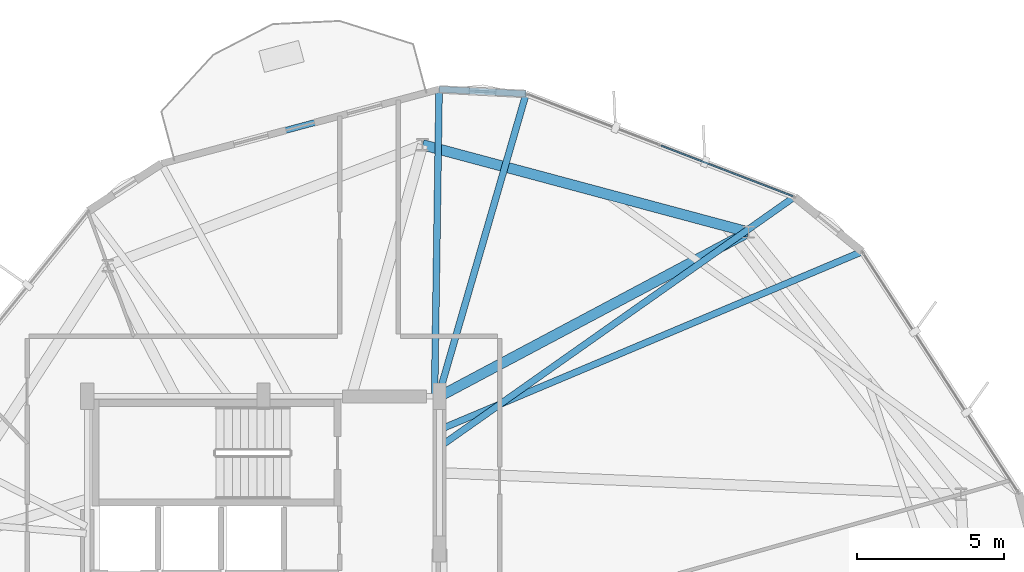
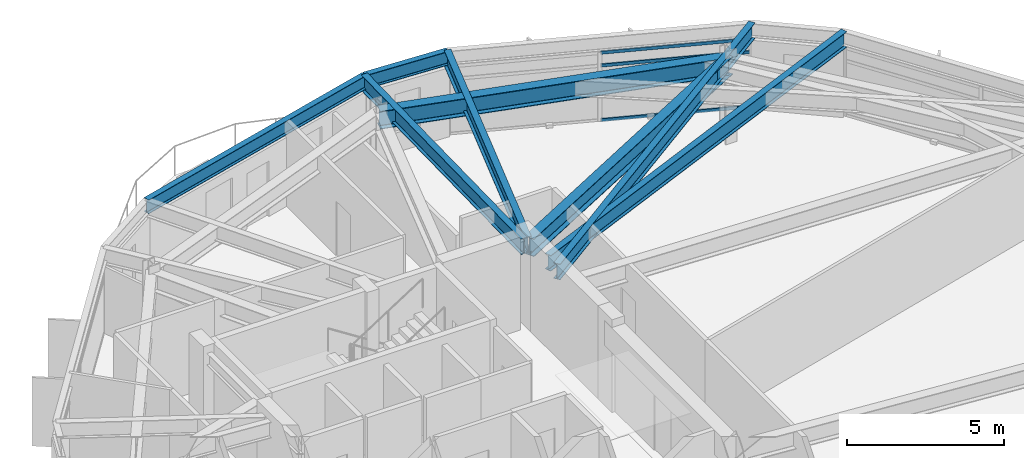
# One storey, part 19 of 29: 8 beams, 3 members, 1 element without a shape of its own.
"""IFC4 building model written with IfcOpenShell, lengths in metres."""

from ifc_helpers import new_model, si_unit, direction, frame, origin, origin_2d, place, context, subcontext, project, spatial, hollow_rectangle, i_section, extrude, material, layer, layer_set, material_profile, profile_set, type_object, element, aggregate, save


model = new_model("IFC4")

# Units and contexts
model_context = context("Model", 3, precision=1e-05, world=origin(), true_north=direction((0.0, 1.0)))
body_context = subcontext(model_context, "Body", "Model", "MODEL_VIEW")
ifc_project = project(units=[si_unit("LENGTHUNIT", "METRE"), si_unit("AREAUNIT", "SQUARE_METRE"), si_unit("VOLUMEUNIT", "CUBIC_METRE"), si_unit("PLANEANGLEUNIT", "RADIAN"), si_unit("MASSUNIT", "GRAM", prefix="KILO")], contexts=[model_context])

# Site, building, storey
site_placement = place(None, origin())
site = spatial("IfcSite", under=ifc_project, at=site_placement, CompositionType="ELEMENT")
building_placement = place(site_placement, origin())
building = spatial("IfcBuilding", under=site, at=building_placement, Name="Soratama Intermodal Tower", CompositionType="ELEMENT")
storey_placement = place(building_placement, frame((0.0, 0.0, 219.39990234375)))
storey = spatial("IfcBuildingStorey", under=building, at=storey_placement, Name="L55", CompositionType="ELEMENT", Elevation=219.39990234375)

# Beams
ifc_material_1 = material(Name="Structural steel ASTM A992 Grade 50", Category="steel")
ifc_material_profile_1 = material_profile(ifc_material_1, i_section(OverallWidth=0.35498046875, OverallDepth=0.695068359375, WebThickness=0.015380859375, FlangeThickness=0.02490234375, FilletRadius=0.01611328125, at=origin_2d()), Name="W27X146")
ifc_profile_set_1 = profile_set([ifc_material_profile_1], Name="Structural steel ASTM A992 Grade 50")
beam_type_1 = type_object("IfcBeamType", Name="BM-RING-W27X146", PredefinedType="BEAM", material=ifc_profile_set_1)
beam_1_placement = place(storey_placement, frame((55.1298828125, 40.59912109375, 2.95263671875), z_axis=(-0.965907374298, 0.258887899055, 0.0), x_axis=(-0.258887899055, -0.965907374298, 0.0)))
element("IfcBeam", 1, at=beam_1_placement, inside=storey, type_object=beam_type_1, Name="BM-L55-RING-02", PredefinedType="BEAM", context=body_context, shape_type="SweptSolid", body=[
    extrude(i_section(OverallWidth=0.35498046875, OverallDepth=0.695068359375, WebThickness=0.015380859375, FlangeThickness=0.02490234375, FilletRadius=0.01611328125, at=origin_2d()), origin(), (0.0, 0.0, 1.0), 11.49462890625),
])
beam_2_placement = place(storey_placement, frame((44.60009765625, 35.0, 2.95263671875), z_axis=(0.882935948236, 0.469493462482, 0.0), x_axis=(-0.469493462482, 0.882935948236, 0.0)))
element("IfcBeam", 2, at=beam_2_placement, inside=storey, type_object=beam_type_1, Name="BM-L55-RAD-02", PredefinedType="BEAM", context=body_context, shape_type="SweptSolid", body=[
    extrude(i_section(OverallWidth=0.35498046875, OverallDepth=0.695068359375, WebThickness=0.015380859375, FlangeThickness=0.02490234375, FilletRadius=0.01611328125, at=origin_2d()), origin(), (0.0, 0.0, 1.0), 11.92578125),
])
ifc_material_2 = material(Name="Structural steel ASTM A992 Grade 50", Category="steel")
ifc_material_profile_2 = material_profile(ifc_material_2, i_section(OverallWidth=0.2099609375, OverallDepth=0.537109375, WebThickness=0.010986328125, FlangeThickness=0.017333984375, FilletRadius=0.012939453125, at=origin_2d()), Name="W21X68")
ifc_profile_set_2 = profile_set([ifc_material_profile_2], Name="Structural steel ASTM A992 Grade 50")
beam_type_2 = type_object("IfcBeamType", Name="BM-SPN-W21X68", PredefinedType="SPANDREL", material=ifc_profile_set_2)
beam_3_placement = place(storey_placement, frame((47.550048828125, 45.31201171875, 3.031494140625), z_axis=(-0.998616920026, 0.052576107102, 0.0), x_axis=(-0.052576107102, -0.998616920026, 0.0)))
element("IfcBeam", 3, at=beam_3_placement, inside=storey, type_object=beam_type_2, Name="BS-L55-CRN01", PredefinedType="SPANDREL", context=body_context, shape_type="SweptSolid", body=[
    extrude(i_section(OverallWidth=0.2099609375, OverallDepth=0.537109375, WebThickness=0.010986328125, FlangeThickness=0.017333984375, FilletRadius=0.012939453125, at=origin_2d()), origin(), (0.0, 0.0, 1.0), 2.96728515625),
])
beam_4_placement = place(storey_placement, frame((44.5869140625, 45.468017578125, 3.031494140625), z_axis=(-0.965918241454, -0.258847350434, 0.0), x_axis=(0.258847350434, -0.965918241454, 0.0)))
element("IfcBeam", 4, at=beam_4_placement, inside=storey, type_object=beam_type_2, Name="BS-L55-F02", PredefinedType="SPANDREL", context=body_context, shape_type="SweptSolid", body=[
    extrude(i_section(OverallWidth=0.2099609375, OverallDepth=0.537109375, WebThickness=0.010986328125, FlangeThickness=0.017333984375, FilletRadius=0.012939453125, at=origin_2d()), origin(), (0.0, 0.0, 1.0), 9.7978515625),
])
ifc_material_3 = material(Name="Structural steel ASTM A992 Grade 50", Category="steel")
ifc_material_profile_3 = material_profile(ifc_material_3, i_section(OverallWidth=0.22900390625, OverallDepth=0.612060546875, WebThickness=0.011962890625, FlangeThickness=0.01953125, FilletRadius=0.012939453125, at=origin_2d()), Name="W24X84")
ifc_profile_set_3 = profile_set([ifc_material_profile_3], Name="Structural steel ASTM A992 Grade 50")
beam_type_3 = type_object("IfcBeamType", Name="BM-TIE-W24X84", PredefinedType="BEAM", material=ifc_profile_set_3)
beam_5_placement = place(storey_placement, frame((44.633056640625, 33.304931640625, 2.994140625), z_axis=(0.817594668677, 0.575794197393, 0.0), x_axis=(-0.575794197393, 0.817594668677, 0.0)))
element("IfcBeam", 5, at=beam_5_placement, inside=storey, type_object=beam_type_3, Name="BM-L55-TIE0-01", PredefinedType="BEAM", context=body_context, shape_type="SweptSolid", body=[
    extrude(i_section(OverallWidth=0.22900390625, OverallDepth=0.612060546875, WebThickness=0.011962890625, FlangeThickness=0.01953125, FilletRadius=0.012939453125, at=origin_2d()), origin(), (0.0, 0.0, 1.0), 14.75537109375),
])
beam_6_placement = place(storey_placement, frame((44.573974609375, 35.0380859375, 2.994140625), z_axis=(0.278234311403, 0.960513231537, 0.0), x_axis=(-0.960513231537, 0.278234311403, 0.0)))
element("IfcBeam", 6, at=beam_6_placement, inside=storey, type_object=beam_type_3, Name="BM-L55-TIE1-01", PredefinedType="BEAM", context=body_context, shape_type="SweptSolid", body=[
    extrude(i_section(OverallWidth=0.22900390625, OverallDepth=0.612060546875, WebThickness=0.011962890625, FlangeThickness=0.01953125, FilletRadius=0.012939453125, at=origin_2d()), origin(), (0.0, 0.0, 1.0), 10.6962890625),
])
beam_7_placement = place(storey_placement, frame((44.43310546875, 35.0400390625, 2.994140625), z_axis=(0.014748003714, 0.999891242279, 0.0), x_axis=(-0.999891242279, 0.014748003714, 0.0)))
element("IfcBeam", 7, at=beam_7_placement, inside=storey, type_object=beam_type_3, Name="BM-L55-TIE0-02", PredefinedType="BEAM", context=body_context, shape_type="SweptSolid", body=[
    extrude(i_section(OverallWidth=0.22900390625, OverallDepth=0.612060546875, WebThickness=0.011962890625, FlangeThickness=0.01953125, FilletRadius=0.012939453125, at=origin_2d()), origin(), (0.0, 0.0, 1.0), 10.42919921875),
])
beam_8_placement = place(storey_placement, frame((44.636962890625, 33.882080078125, 2.994140625), z_axis=(0.921553099806, 0.388252346082, 0.0), x_axis=(-0.388252346082, 0.921553099806, 0.0)))
element("IfcBeam", 8, at=beam_8_placement, inside=storey, type_object=beam_type_3, Name="BM-L55-TIE1-10", PredefinedType="BEAM", context=body_context, shape_type="SweptSolid", body=[
    extrude(i_section(OverallWidth=0.22900390625, OverallDepth=0.612060546875, WebThickness=0.011962890625, FlangeThickness=0.01953125, FilletRadius=0.012939453125, at=origin_2d()), origin(), (0.0, 0.0, 1.0), 15.587890625),
])

# Curtain wall, members
ifc_material_4 = material(Name="Double-glazed aluminium curtain wall", Category="aluminium")
ifc_layer = layer(ifc_material_4, 0.159912109375)
ifc_layer_set = layer_set([ifc_layer], Name="Double-glazed aluminium curtain wall")
curtain_wall_type = type_object("IfcCurtainWallType", Name="CW-SYS-5", PredefinedType="NOTDEFINED", material=ifc_layer_set)
curtain_wall_placement = place(storey_placement, origin())
curtain_wall = element("IfcCurtainWall", 9, at=curtain_wall_placement, inside=storey, type_object=curtain_wall_type, Name="L55 Faceted Curtain Wall F01", PredefinedType="NOTDEFINED")
ifc_material_5 = material(Name="Anodised aluminium AA 6063-T6", Category="aluminium")
ifc_material_profile_4 = material_profile(ifc_material_5, hollow_rectangle(XDim=0.06005859375, YDim=0.1298828125, WallThickness=0.0048828125, InnerFilletRadius=0.0048828125, OuterFilletRadius=0.010009765625, at=origin_2d()), Name="CWT130X60X5")
ifc_profile_set_4 = profile_set([ifc_material_profile_4], Name="Anodised aluminium AA 6063-T6")
member_type = type_object("IfcMemberType", Name="TT-CWT-2", PredefinedType="USERDEFINED", material=ifc_profile_set_4)
member_1_placement = place(storey_placement, frame((56.640869140625, 41.82275390625, 0.030029296875), z_axis=(-0.933578315891, 0.358373447815, 0.0), x_axis=(-0.358373447815, -0.933578315891, 0.0)))
member_1 = element("IfcMember", 10, at=member_1_placement, type_object=member_type, Name="CW-5 transom 1.1", ObjectType="TRANSOM", PredefinedType="USERDEFINED", context=body_context, shape_type="SweptSolid", body=[
    extrude(hollow_rectangle(XDim=0.06005859375, YDim=0.1298828125, WallThickness=0.0048828125, InnerFilletRadius=0.0048828125, OuterFilletRadius=0.010009765625, at=origin_2d()), origin(), (0.0, 0.0, 1.0), 4.808837890625),
])
member_2_placement = place(storey_placement, frame((56.640869140625, 41.82275390625, 2.150146484375), z_axis=(-0.933578315891, 0.358373447815, 0.0), x_axis=(-0.358373447815, -0.933578315891, 0.0)))
member_2 = element("IfcMember", 11, at=member_2_placement, type_object=member_type, Name="CW-5 transom 1.2", ObjectType="TRANSOM", PredefinedType="USERDEFINED", context=body_context, shape_type="SweptSolid", body=[
    extrude(hollow_rectangle(XDim=0.06005859375, YDim=0.1298828125, WallThickness=0.0048828125, InnerFilletRadius=0.0048828125, OuterFilletRadius=0.010009765625, at=origin_2d()), origin(), (0.0, 0.0, 1.0), 4.808837890625),
])
member_3_placement = place(storey_placement, frame((56.640869140625, 41.82275390625, 2.649169921875), z_axis=(-0.933578315891, 0.358373447815, 0.0), x_axis=(-0.358373447815, -0.933578315891, 0.0)))
member_3 = element("IfcMember", 12, at=member_3_placement, type_object=member_type, Name="CW-5 transom 1.3", ObjectType="TRANSOM", PredefinedType="USERDEFINED", context=body_context, shape_type="SweptSolid", body=[
    extrude(hollow_rectangle(XDim=0.06005859375, YDim=0.1298828125, WallThickness=0.0048828125, InnerFilletRadius=0.0048828125, OuterFilletRadius=0.010009765625, at=origin_2d()), origin(), (0.0, 0.0, 1.0), 4.808837890625),
])
aggregate(curtain_wall, [member_1, member_2, member_3])

save(model, "model.ifc")
